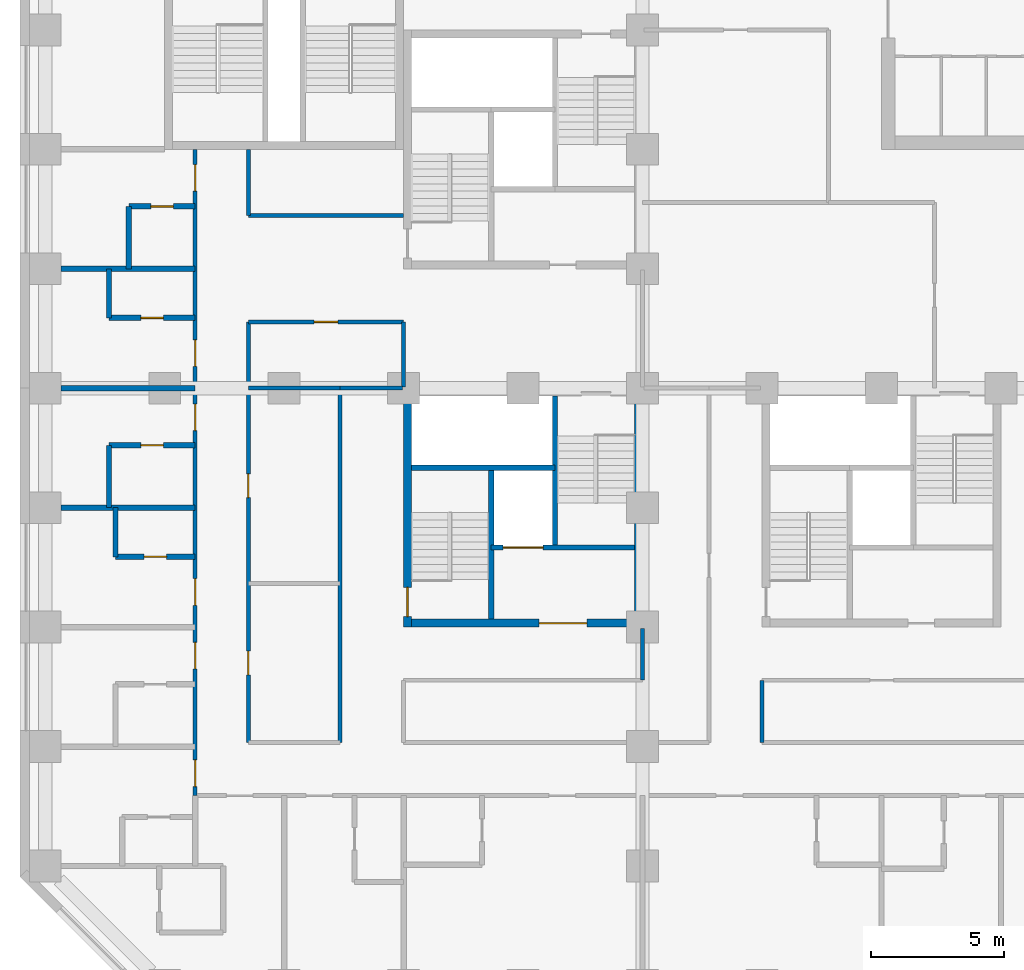
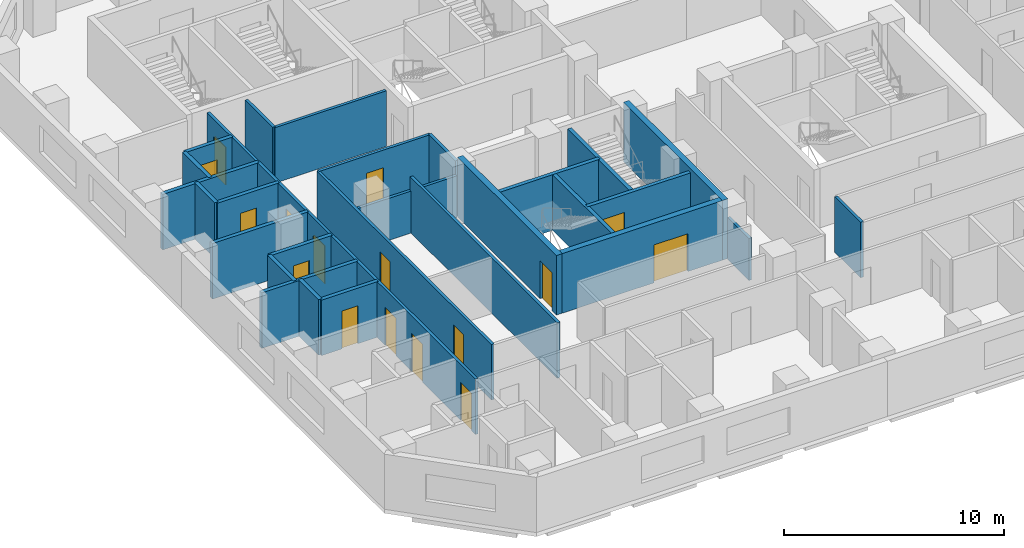
# One storey, part 3 of 12: 29 walls, 16 doors, 16 openings.
"""IFC4 building model written with IfcOpenShell, lengths in metres."""

from ifc_helpers import new_model, si_unit, direction, frame, frame_2d, origin, place, context, subcontext, project, spatial, rectangle, extrude, material, layer, layer_set, type_object, element, fill, save


model = new_model("IFC4")

# Units and contexts
model_context = context("Model", 3, precision=1e-05, world=origin(), true_north=direction((0.0, 1.0)))
body_context = subcontext(model_context, "Body", "Model", "MODEL_VIEW")
ifc_project = project(units=[si_unit("LENGTHUNIT", "METRE"), si_unit("AREAUNIT", "SQUARE_METRE"), si_unit("VOLUMEUNIT", "CUBIC_METRE"), si_unit("PLANEANGLEUNIT", "RADIAN"), si_unit("MASSUNIT", "GRAM", prefix="KILO")], contexts=[model_context])

# Site, building, storey
site_placement = place(None, origin())
site = spatial("IfcSite", under=ifc_project, at=site_placement, CompositionType="ELEMENT")
building_placement = place(site_placement, origin())
building = spatial("IfcBuilding", under=site, at=building_placement, Name="Quoin Convention Tower", CompositionType="ELEMENT")
storey_placement = place(building_placement, frame((0.0, 0.0, 33.0)))
storey = spatial("IfcBuildingStorey", under=building, at=storey_placement, Name="L07", CompositionType="ELEMENT", Elevation=33.0)

# Wall, opening, door
ifc_material_1 = material(Name="Concrete C50", Category="concrete")
ifc_layer_1 = layer(ifc_material_1, 0.199951171875)
ifc_layer_set_1 = layer_set([ifc_layer_1], Name="Concrete C50")
wall_type_1 = type_object("IfcWallType", Name="Core shaft wall", PredefinedType="SOLIDWALL", material=ifc_layer_set_1)
wall_1_placement = place(storey_placement, frame((30.300048828125, 34.5, 0.0), z_axis=(0.0, 0.0, 1.0), x_axis=(1.0, 0.0, 0.0)))
wall_1 = element("IfcWall", 1, at=wall_1_placement, inside=storey, type_object=wall_type_1, Name="cr-P4-L07-h3000_3300", PredefinedType="SOLIDWALL", context=body_context, shape_type="SweptSolid", body=[
    extrude(rectangle(XDim=5.39990234375, YDim=0.199951171875, at=frame_2d((2.699951171875, 0.0))), origin(), (0.0, 0.0, 1.0), 3.080078125),
])
opening_1_placement = place(wall_1_placement, frame((0.449951171875, 0.0, 0.0)))
opening_1 = element("IfcOpeningElement", 2, at=opening_1_placement, cuts=wall_1, Name="Opening LDGL1", PredefinedType="OPENING", context=body_context, shape_type="SweptSolid", body=[
    extrude(rectangle(XDim=1.5, YDim=2.10009765625, at=frame_2d((0.75, 1.050048828125))), frame((0.0, 0.10986328125, 0.0), z_axis=(0.0, -1.0, 0.0), x_axis=(1.0, 0.0, 0.0)), (0.0, 0.0, 1.0), 0.219970703125),
])
ifc_material_2 = material(Name="Steel door leaf", Category="steel")
door_type_1 = type_object("IfcDoorType", Name="Lift landing door 1500 x 2100", OperationType="DOUBLE_DOOR_SLIDING", PredefinedType="DOOR", material=ifc_material_2)
door_1_placement = place(opening_1_placement, origin())
door_1 = element("IfcDoor", 3, at=door_1_placement, inside=storey, type_object=door_type_1, Name="cd-P4-L07-CEN-R2-LDGL1", OperationType="DOUBLE_DOOR_SLIDING", OverallHeight=2.10009765625, OverallWidth=1.5, PredefinedType="DOOR", context=body_context, shape_type="SweptSolid", body=[
    extrude(rectangle(XDim=1.5, YDim=2.10009765625, at=frame_2d((0.75, 1.050048828125))), frame((0.0, 0.02490234375, 0.0), z_axis=(0.0, -1.0, 0.0), x_axis=(1.0, 0.0, 0.0)), (0.0, 0.0, 1.0), 0.050048828125),
])
fill(opening_1, door_1)

# Walls
wall_2_placement = place(storey_placement, frame((27.300048828125, 37.5, 0.0), z_axis=(0.0, 0.0, 1.0), x_axis=(1.0, 0.0, 0.0)))
element("IfcWall", 4, at=wall_2_placement, inside=storey, type_object=wall_type_1, Name="cr-P4-L07-h6000_300", PredefinedType="SOLIDWALL", context=body_context, shape_type="SweptSolid", body=[
    extrude(rectangle(XDim=5.39990234375, YDim=0.199951171875, at=frame_2d((2.699951171875, 0.0))), origin(), (0.0, 0.0, 1.0), 3.080078125),
])
for number, where, z_axis, x_axis, name in (
    (5, (30.300048828125, 31.800048828125, 0.0), (0.0, 0.0, 1.0), (0.0, 1.0, 0.0), "cr-P4-L07-v3300_300"),
    (6, (32.699951171875, 34.5, 0.0), (0.0, 0.0, 1.0), (0.0, 1.0, 0.0), "cr-P4-L07-v5700_3000"),
):
    element("IfcWall", number, at=place(storey_placement, frame(where, z_axis=z_axis, x_axis=x_axis)), inside=storey, type_object=wall_type_1, Name=name, PredefinedType="SOLIDWALL", context=body_context, shape_type="SweptSolid", body=[
        extrude(rectangle(XDim=5.699951171875, YDim=0.199951171875, at=frame_2d((2.85009765625, 0.0))), origin(), (0.0, 0.0, 1.0), 3.080078125),
    ])

# Wall, opening, door
ifc_material_3 = material(Name="Concrete C80", Category="concrete")
ifc_layer_2 = layer(ifc_material_3, 0.300048828125)
ifc_layer_set_2 = layer_set([ifc_layer_2], Name="Concrete C80")
wall_type_2 = type_object("IfcWallType", Name="RC CORE WALL 300 C80", PredefinedType="SHEAR", material=ifc_layer_set_2)
wall_3_placement = place(storey_placement, frame((27.300048828125, 31.64990234375, 0.0), z_axis=(0.0, 0.0, 1.0), x_axis=(1.0, 0.0, 0.0)))
wall_3 = element("IfcWall", 7, at=wall_3_placement, inside=storey, type_object=wall_type_2, Name="cwl-P4-L07-S", PredefinedType="SHEAR", context=body_context, shape_type="SweptSolid", body=[
    extrude(rectangle(XDim=8.39990234375, YDim=0.300048828125, at=frame_2d((4.199951171875, 0.0))), origin(), (0.0, 0.0, 1.0), 3.300048828125),
])
opening_2_placement = place(wall_3_placement, frame((4.800048828125, 0.0, 0.0)))
opening_2 = element("IfcOpeningElement", 8, at=opening_2_placement, cuts=wall_3, Name="Opening DCV3-43", PredefinedType="OPENING", context=body_context, shape_type="SweptSolid", body=[
    extrude(rectangle(XDim=1.800048828125, YDim=2.10009765625, at=frame_2d((0.89990234375, 1.050048828125))), frame((0.0, 0.159912109375, 0.0), z_axis=(0.0, -1.0, 0.0), x_axis=(1.0, 0.0, 0.0)), (0.0, 0.0, 1.0), 0.320068359375),
])
door_type_2 = type_object("IfcDoorType", Name="Goods lobby door 1800 x 2100", OperationType="SINGLE_SWING_LEFT", PredefinedType="DOOR", material=ifc_material_2)
door_2_placement = place(opening_2_placement, origin())
door_2 = element("IfcDoor", 9, at=door_2_placement, inside=storey, type_object=door_type_2, Name="cd-P4-L07-R2-S", OperationType="SINGLE_SWING_LEFT", OverallHeight=2.10009765625, OverallWidth=1.800048828125, PredefinedType="DOOR", context=body_context, shape_type="SweptSolid", body=[
    extrude(rectangle(XDim=1.800048828125, YDim=2.10009765625, at=frame_2d((0.89990234375, 1.050048828125))), frame((0.0, 0.02490234375, 0.0), z_axis=(0.0, -1.0, 0.0), x_axis=(1.0, 0.0, 0.0)), (0.0, 0.0, 1.0), 0.050048828125),
])
fill(opening_2, door_2)

wall_4_placement = place(storey_placement, frame((27.14990234375, 31.5, 0.0), z_axis=(0.0, 0.0, 1.0), x_axis=(0.0, 1.0, 0.0)))
wall_4 = element("IfcWall", 10, at=wall_4_placement, inside=storey, type_object=wall_type_2, Name="cwl-P4-L07-W", PredefinedType="SHEAR", context=body_context, shape_type="SweptSolid", body=[
    extrude(rectangle(XDim=9.0, YDim=0.300048828125, at=frame_2d((4.5, 0.0))), origin(), (0.0, 0.0, 1.0), 3.300048828125),
])
opening_3_placement = place(wall_4_placement, frame((0.39990234375, 0.0, 0.0)))
opening_3 = element("IfcOpeningElement", 11, at=opening_3_placement, cuts=wall_4, Name="Opening SD7", PredefinedType="OPENING", context=body_context, shape_type="SweptSolid", body=[
    extrude(rectangle(XDim=1.10009765625, YDim=2.10009765625, at=frame_2d((0.550048828125, 1.050048828125))), frame((0.0, 0.159912109375, 0.0), z_axis=(0.0, -1.0, 0.0), x_axis=(1.0, 0.0, 0.0)), (0.0, 0.0, 1.0), 0.320068359375),
])
door_type_3 = type_object("IfcDoorType", Name="Stair door 1100 x 2100", OperationType="SINGLE_SWING_RIGHT", PredefinedType="DOOR", material=ifc_material_2)
door_3_placement = place(opening_3_placement, frame((1.10009765625, 0.0, 0.0), z_axis=(0.0, 0.0, 1.0), x_axis=(-1.0, 0.0, 0.0)))
door_3 = element("IfcDoor", 12, at=door_3_placement, inside=storey, type_object=door_type_3, Name="cd-P4-L07-SA-W", OperationType="SINGLE_SWING_RIGHT", OverallHeight=2.10009765625, OverallWidth=1.10009765625, PredefinedType="DOOR", context=body_context, shape_type="SweptSolid", body=[
    extrude(rectangle(XDim=1.10009765625, YDim=2.10009765625, at=frame_2d((0.550048828125, 1.050048828125))), frame((0.0, 0.02490234375, 0.0), z_axis=(0.0, -1.0, 0.0), x_axis=(1.0, 0.0, 0.0)), (0.0, 0.0, 1.0), 0.050048828125),
])
fill(opening_3, door_3)

# Wall
wall_5_placement = place(storey_placement, frame((35.85009765625, 31.5, 0.0), z_axis=(0.0, 0.0, 1.0), x_axis=(0.0, 1.0, 0.0)))
element("IfcWall", 13, at=wall_5_placement, inside=storey, type_object=wall_type_2, Name="cwl-P4-L07-E", PredefinedType="SHEAR", context=body_context, shape_type="SweptSolid", body=[
    extrude(rectangle(XDim=9.0, YDim=0.300048828125, at=frame_2d((4.5, 0.0))), origin(), (0.0, 0.0, 1.0), 3.300048828125),
])

# Wall, opening, door
ifc_layer_3 = layer(ifc_material_1, 0.199951171875)
ifc_layer_set_3 = layer_set([ifc_layer_3], Name="Concrete C50")
wall_type_3 = type_object("IfcWallType", Name="RC party wall", PredefinedType="SOLIDWALL", material=ifc_layer_set_3)
wall_6_placement = place(storey_placement, frame((16.14990234375, 34.14990234375, 0.0), z_axis=(0.0, 0.0, 1.0), x_axis=(1.0, 0.0, 0.0)))
wall_6 = element("IfcWall", 14, at=wall_6_placement, inside=storey, type_object=wall_type_3, Name="pw-L07-069", PredefinedType="SOLIDWALL", context=body_context, shape_type="SweptSolid", body=[
    extrude(rectangle(XDim=3.0, YDim=0.199951171875, at=frame_2d((1.5, 0.0))), origin(), (0.0, 0.0, 1.0), 3.080078125),
])
opening_4_placement = place(wall_6_placement, frame((1.074951171875, 0.0, 0.0)))
opening_4 = element("IfcOpeningElement", 15, at=opening_4_placement, cuts=wall_6, Name="Opening DHOTEL-C-52", PredefinedType="OPENING", context=body_context, shape_type="SweptSolid", body=[
    extrude(rectangle(XDim=0.85009765625, YDim=2.10009765625, at=frame_2d((0.425048828125, 1.050048828125))), frame((0.0, 0.10986328125, 0.0), z_axis=(0.0, -1.0, 0.0), x_axis=(1.0, 0.0, 0.0)), (0.0, 0.0, 1.0), 0.219970703125),
])
door_type_4 = type_object("IfcDoorType", Name="Bathroom door", OperationType="SINGLE_SWING_LEFT", PredefinedType="DOOR", material=ifc_material_2)
door_4_placement = place(opening_4_placement, frame((0.85009765625, 0.0, 0.0), z_axis=(0.0, 0.0, 1.0), x_axis=(-1.0, 0.0, 0.0)))
door_4 = element("IfcDoor", 16, at=door_4_placement, inside=storey, type_object=door_type_4, Name="dr-L07-014", OperationType="SINGLE_SWING_LEFT", OverallHeight=2.10009765625, OverallWidth=0.85009765625, PredefinedType="DOOR", context=body_context, shape_type="SweptSolid", body=[
    extrude(rectangle(XDim=0.85009765625, YDim=2.10009765625, at=frame_2d((0.425048828125, 1.050048828125))), frame((0.0, 0.02490234375, 0.0), z_axis=(0.0, -1.0, 0.0), x_axis=(1.0, 0.0, 0.0)), (0.0, 0.0, 1.0), 0.050048828125),
])
fill(opening_4, door_4)

# Walls
wall_7_placement = place(storey_placement, frame((16.14990234375, 34.14990234375, 0.0), z_axis=(0.0, 0.0, 1.0), x_axis=(0.0, 1.0, 0.0)))
element("IfcWall", 17, at=wall_7_placement, inside=storey, type_object=wall_type_3, Name="pw-L07-070", PredefinedType="SOLIDWALL", context=body_context, shape_type="SweptSolid", body=[
    extrude(rectangle(XDim=1.85009765625, YDim=0.199951171875, at=frame_2d((0.925048828125, 0.0))), origin(), (0.0, 0.0, 1.0), 3.080078125),
])
wall_8_placement = place(storey_placement, frame((14.10009765625, 36.0, 0.0), z_axis=(0.0, 0.0, 1.0), x_axis=(1.0, 0.0, 0.0)))
element("IfcWall", 18, at=wall_8_placement, inside=storey, type_object=wall_type_3, Name="pw-L07-071", PredefinedType="SOLIDWALL", context=body_context, shape_type="SweptSolid", body=[
    extrude(rectangle(XDim=5.0498046875, YDim=0.199951171875, at=frame_2d((2.52490234375, 0.0))), origin(), (0.0, 0.0, 1.0), 3.080078125),
])
wall_9_placement = place(storey_placement, frame((15.89990234375, 36.0, 0.0), z_axis=(0.0, 0.0, 1.0), x_axis=(0.0, 1.0, 0.0)))
element("IfcWall", 19, at=wall_9_placement, inside=storey, type_object=wall_type_3, Name="pw-L07-072", PredefinedType="SOLIDWALL", context=body_context, shape_type="SweptSolid", body=[
    extrude(rectangle(XDim=2.35009765625, YDim=0.199951171875, at=frame_2d((1.175048828125, 0.0))), origin(), (0.0, 0.0, 1.0), 3.080078125),
])

# Wall, opening, door
wall_10_placement = place(storey_placement, frame((15.89990234375, 38.35009765625, 0.0), z_axis=(0.0, 0.0, 1.0), x_axis=(1.0, 0.0, 0.0)))
wall_10 = element("IfcWall", 20, at=wall_10_placement, inside=storey, type_object=wall_type_3, Name="pw-L07-076", PredefinedType="SOLIDWALL", context=body_context, shape_type="SweptSolid", body=[
    extrude(rectangle(XDim=3.25, YDim=0.199951171875, at=frame_2d((1.625, 0.0))), origin(), (0.0, 0.0, 1.0), 3.080078125),
])
opening_5_placement = place(wall_10_placement, frame((1.199951171875, 0.0, 0.0)))
opening_5 = element("IfcOpeningElement", 21, at=opening_5_placement, cuts=wall_10, Name="Opening DHOTEL-C-54", PredefinedType="OPENING", context=body_context, shape_type="SweptSolid", body=[
    extrude(rectangle(XDim=0.85009765625, YDim=2.10009765625, at=frame_2d((0.425048828125, 1.050048828125))), frame((0.0, 0.10986328125, 0.0), z_axis=(0.0, -1.0, 0.0), x_axis=(1.0, 0.0, 0.0)), (0.0, 0.0, 1.0), 0.219970703125),
])
door_5_placement = place(opening_5_placement, origin())
door_5 = element("IfcDoor", 22, at=door_5_placement, inside=storey, type_object=door_type_4, Name="dr-L07-016", OperationType="SINGLE_SWING_RIGHT", OverallHeight=2.10009765625, OverallWidth=0.85009765625, PredefinedType="DOOR", context=body_context, shape_type="SweptSolid", body=[
    extrude(rectangle(XDim=0.85009765625, YDim=2.10009765625, at=frame_2d((0.425048828125, 1.050048828125))), frame((0.0, 0.02490234375, 0.0), z_axis=(0.0, -1.0, 0.0), x_axis=(1.0, 0.0, 0.0)), (0.0, 0.0, 1.0), 0.050048828125),
])
fill(opening_5, door_5)

# Wall
wall_11_placement = place(storey_placement, frame((14.10009765625, 40.5, 0.0), z_axis=(0.0, 0.0, 1.0), x_axis=(1.0, 0.0, 0.0)))
element("IfcWall", 23, at=wall_11_placement, inside=storey, type_object=wall_type_3, Name="pw-L07-077", PredefinedType="SOLIDWALL", context=body_context, shape_type="SweptSolid", body=[
    extrude(rectangle(XDim=5.0498046875, YDim=0.199951171875, at=frame_2d((2.52490234375, 0.0))), origin(), (0.0, 0.0, 1.0), 3.080078125),
])

# Wall, opening, door
wall_12_placement = place(storey_placement, frame((15.89990234375, 43.14990234375, 0.0), z_axis=(0.0, 0.0, 1.0), x_axis=(1.0, 0.0, 0.0)))
wall_12 = element("IfcWall", 24, at=wall_12_placement, inside=storey, type_object=wall_type_3, Name="pw-L07-082", PredefinedType="SOLIDWALL", context=body_context, shape_type="SweptSolid", body=[
    extrude(rectangle(XDim=3.25, YDim=0.199951171875, at=frame_2d((1.625, 0.0))), origin(), (0.0, 0.0, 1.0), 3.080078125),
])
opening_6_placement = place(wall_12_placement, frame((1.199951171875, 0.0, 0.0)))
opening_6 = element("IfcOpeningElement", 25, at=opening_6_placement, cuts=wall_12, Name="Opening DHOTEL-C-56", PredefinedType="OPENING", context=body_context, shape_type="SweptSolid", body=[
    extrude(rectangle(XDim=0.85009765625, YDim=2.10009765625, at=frame_2d((0.425048828125, 1.050048828125))), frame((0.0, 0.10986328125, 0.0), z_axis=(0.0, -1.0, 0.0), x_axis=(1.0, 0.0, 0.0)), (0.0, 0.0, 1.0), 0.219970703125),
])
door_6_placement = place(opening_6_placement, frame((0.85009765625, 0.0, 0.0), z_axis=(0.0, 0.0, 1.0), x_axis=(-1.0, 0.0, 0.0)))
door_6 = element("IfcDoor", 26, at=door_6_placement, inside=storey, type_object=door_type_4, Name="dr-L07-018", OperationType="SINGLE_SWING_LEFT", OverallHeight=2.10009765625, OverallWidth=0.85009765625, PredefinedType="DOOR", context=body_context, shape_type="SweptSolid", body=[
    extrude(rectangle(XDim=0.85009765625, YDim=2.10009765625, at=frame_2d((0.425048828125, 1.050048828125))), frame((0.0, 0.02490234375, 0.0), z_axis=(0.0, -1.0, 0.0), x_axis=(1.0, 0.0, 0.0)), (0.0, 0.0, 1.0), 0.050048828125),
])
fill(opening_6, door_6)

# Walls
wall_13_placement = place(storey_placement, frame((15.89990234375, 43.14990234375, 0.0), z_axis=(0.0, 0.0, 1.0), x_axis=(0.0, 1.0, 0.0)))
element("IfcWall", 27, at=wall_13_placement, inside=storey, type_object=wall_type_3, Name="pw-L07-083", PredefinedType="SOLIDWALL", context=body_context, shape_type="SweptSolid", body=[
    extrude(rectangle(XDim=1.85009765625, YDim=0.199951171875, at=frame_2d((0.925048828125, 0.0))), origin(), (0.0, 0.0, 1.0), 3.080078125),
])
wall_14_placement = place(storey_placement, frame((14.10009765625, 45.0, 0.0), z_axis=(0.0, 0.0, 1.0), x_axis=(1.0, 0.0, 0.0)))
element("IfcWall", 28, at=wall_14_placement, inside=storey, type_object=wall_type_3, Name="pw-L07-086", PredefinedType="SOLIDWALL", context=body_context, shape_type="SweptSolid", body=[
    extrude(rectangle(XDim=5.0498046875, YDim=0.199951171875, at=frame_2d((2.52490234375, 0.0))), origin(), (0.0, 0.0, 1.0), 3.080078125),
])
wall_15_placement = place(storey_placement, frame((16.64990234375, 45.0, 0.0), z_axis=(0.0, 0.0, 1.0), x_axis=(0.0, 1.0, 0.0)))
element("IfcWall", 29, at=wall_15_placement, inside=storey, type_object=wall_type_3, Name="pw-L07-087", PredefinedType="SOLIDWALL", context=body_context, shape_type="SweptSolid", body=[
    extrude(rectangle(XDim=2.35009765625, YDim=0.199951171875, at=frame_2d((1.175048828125, 0.0))), origin(), (0.0, 0.0, 1.0), 3.080078125),
])

# Wall, opening, door
wall_16_placement = place(storey_placement, frame((16.64990234375, 47.35009765625, 0.0), z_axis=(0.0, 0.0, 1.0), x_axis=(1.0, 0.0, 0.0)))
wall_16 = element("IfcWall", 30, at=wall_16_placement, inside=storey, type_object=wall_type_3, Name="pw-L07-091", PredefinedType="SOLIDWALL", context=body_context, shape_type="SweptSolid", body=[
    extrude(rectangle(XDim=2.5, YDim=0.199951171875, at=frame_2d((1.25, 0.0))), origin(), (0.0, 0.0, 1.0), 3.080078125),
])
opening_7_placement = place(wall_16_placement, frame((0.824951171875, 0.0, 0.0)))
opening_7 = element("IfcOpeningElement", 31, at=opening_7_placement, cuts=wall_16, Name="Opening DHOTEL-C-58", PredefinedType="OPENING", context=body_context, shape_type="SweptSolid", body=[
    extrude(rectangle(XDim=0.85009765625, YDim=2.10009765625, at=frame_2d((0.425048828125, 1.050048828125))), frame((0.0, 0.10986328125, 0.0), z_axis=(0.0, -1.0, 0.0), x_axis=(1.0, 0.0, 0.0)), (0.0, 0.0, 1.0), 0.219970703125),
])
door_7_placement = place(opening_7_placement, frame((0.85009765625, 0.0, 0.0), z_axis=(0.0, 0.0, 1.0), x_axis=(-1.0, 0.0, 0.0)))
door_7 = element("IfcDoor", 32, at=door_7_placement, inside=storey, type_object=door_type_4, Name="dr-L07-020", OperationType="SINGLE_SWING_LEFT", OverallHeight=2.10009765625, OverallWidth=0.85009765625, PredefinedType="DOOR", context=body_context, shape_type="SweptSolid", body=[
    extrude(rectangle(XDim=0.85009765625, YDim=2.10009765625, at=frame_2d((0.425048828125, 1.050048828125))), frame((0.0, 0.02490234375, 0.0), z_axis=(0.0, -1.0, 0.0), x_axis=(1.0, 0.0, 0.0)), (0.0, 0.0, 1.0), 0.050048828125),
])
fill(opening_7, door_7)

# Wall, openings, doors
ifc_material_4 = material(Name="Plasterboard")
ifc_layer_4 = layer(ifc_material_4, 0.012451171875, Name="Finish")
ifc_material_5 = material(Name="Steel stud framing", Category="steel")
ifc_layer_5 = layer(ifc_material_5, 0.125, Name="Structure")
ifc_layer_6 = layer(ifc_material_4, 0.012451171875, Name="Finish")
ifc_layer_set_4 = layer_set([ifc_layer_4, ifc_layer_5, ifc_layer_6], Name="Steel stud framing")
wall_type_4 = type_object("IfcWallType", Name="corridor partition", PredefinedType="PARTITIONING", material=ifc_layer_set_4)
wall_17_placement = place(storey_placement, frame((19.14990234375, 25.14990234375, 0.0), z_axis=(0.0, 0.0, 1.0), x_axis=(0.0, 1.0, 0.0)))
wall_17 = element("IfcWall", 33, at=wall_17_placement, inside=storey, type_object=wall_type_4, Name="pw-L07-004", PredefinedType="PARTITIONING", context=body_context, shape_type="SweptSolid", body=[
    extrude(rectangle(XDim=24.35009765625, YDim=0.14990234375, at=frame_2d((12.175048828125, 0.0))), origin(), (0.0, 0.0, 1.0), 3.080078125),
])
opening_8_placement = place(wall_17_placement, frame((0.346923828125, 0.0, 0.0)))
opening_8 = element("IfcOpeningElement", 34, at=opening_8_placement, cuts=wall_17, Name="Opening DHOTEL-C-07", PredefinedType="OPENING", context=body_context, shape_type="SweptSolid", body=[
    extrude(rectangle(XDim=1.0, YDim=2.10009765625, at=frame_2d((0.5, 1.050048828125))), frame((0.0, 0.0849609375, 0.0), z_axis=(0.0, -1.0, 0.0), x_axis=(1.0, 0.0, 0.0)), (0.0, 0.0, 1.0), 0.169921875),
])
opening_9_placement = place(wall_17_placement, frame((4.77490234375, 0.0, 0.0)))
opening_9 = element("IfcOpeningElement", 35, at=opening_9_placement, cuts=wall_17, Name="Opening DHOTEL-C-08", PredefinedType="OPENING", context=body_context, shape_type="SweptSolid", body=[
    extrude(rectangle(XDim=1.0, YDim=2.10009765625, at=frame_2d((0.5, 1.050048828125))), frame((0.0, 0.0849609375, 0.0), z_axis=(0.0, -1.0, 0.0), x_axis=(1.0, 0.0, 0.0)), (0.0, 0.0, 1.0), 0.169921875),
])
opening_10_placement = place(wall_17_placement, frame((7.175048828125, 0.0, 0.0)))
opening_10 = element("IfcOpeningElement", 36, at=opening_10_placement, cuts=wall_17, Name="Opening DHOTEL-C-09", PredefinedType="OPENING", context=body_context, shape_type="SweptSolid", body=[
    extrude(rectangle(XDim=1.0, YDim=2.10009765625, at=frame_2d((0.5, 1.050048828125))), frame((0.0, 0.0849609375, 0.0), z_axis=(0.0, -1.0, 0.0), x_axis=(1.0, 0.0, 0.0)), (0.0, 0.0, 1.0), 0.169921875),
])
opening_11_placement = place(wall_17_placement, frame((13.75, 0.0, 0.0)))
opening_11 = element("IfcOpeningElement", 37, at=opening_11_placement, cuts=wall_17, Name="Opening DHOTEL-C-10", PredefinedType="OPENING", context=body_context, shape_type="SweptSolid", body=[
    extrude(rectangle(XDim=1.0, YDim=2.10009765625, at=frame_2d((0.5, 1.050048828125))), frame((0.0, 0.0849609375, 0.0), z_axis=(0.0, -1.0, 0.0), x_axis=(1.0, 0.0, 0.0)), (0.0, 0.0, 1.0), 0.169921875),
])
opening_12_placement = place(wall_17_placement, frame((16.175048828125, 0.0, 0.0)))
opening_12 = element("IfcOpeningElement", 38, at=opening_12_placement, cuts=wall_17, Name="Opening DHOTEL-C-11", PredefinedType="OPENING", context=body_context, shape_type="SweptSolid", body=[
    extrude(rectangle(XDim=1.0, YDim=2.10009765625, at=frame_2d((0.5, 1.050048828125))), frame((0.0, 0.0849609375, 0.0), z_axis=(0.0, -1.0, 0.0), x_axis=(1.0, 0.0, 0.0)), (0.0, 0.0, 1.0), 0.169921875),
])
opening_13_placement = place(wall_17_placement, frame((22.77490234375, 0.0, 0.0)))
opening_13 = element("IfcOpeningElement", 39, at=opening_13_placement, cuts=wall_17, Name="Opening DHOTEL-C-12", PredefinedType="OPENING", context=body_context, shape_type="SweptSolid", body=[
    extrude(rectangle(XDim=1.0, YDim=2.10009765625, at=frame_2d((0.5, 1.050048828125))), frame((0.0, 0.0849609375, 0.0), z_axis=(0.0, -1.0, 0.0), x_axis=(1.0, 0.0, 0.0)), (0.0, 0.0, 1.0), 0.169921875),
])
door_type_5 = type_object("IfcDoorType", Name="Hotel room door", OperationType="SINGLE_SWING_LEFT", PredefinedType="DOOR", material=ifc_material_2)
door_8_placement = place(opening_8_placement, origin())
door_8 = element("IfcDoor", 40, at=door_8_placement, inside=storey, type_object=door_type_5, Name="dr-L07-009", OperationType="SINGLE_SWING_LEFT", OverallHeight=2.10009765625, OverallWidth=1.0, PredefinedType="DOOR", context=body_context, shape_type="SweptSolid", body=[
    extrude(rectangle(XDim=1.0, YDim=2.10009765625, at=frame_2d((0.5, 1.050048828125))), frame((0.0, 0.02490234375, 0.0), z_axis=(0.0, -1.0, 0.0), x_axis=(1.0, 0.0, 0.0)), (0.0, 0.0, 1.0), 0.050048828125),
])
fill(opening_8, door_8)
door_9_placement = place(opening_9_placement, origin())
door_9 = element("IfcDoor", 41, at=door_9_placement, inside=storey, type_object=door_type_5, Name="dr-L07-011", OperationType="SINGLE_SWING_RIGHT", OverallHeight=2.10009765625, OverallWidth=1.0, PredefinedType="DOOR", context=body_context, shape_type="SweptSolid", body=[
    extrude(rectangle(XDim=1.0, YDim=2.10009765625, at=frame_2d((0.5, 1.050048828125))), frame((0.0, 0.02490234375, 0.0), z_axis=(0.0, -1.0, 0.0), x_axis=(1.0, 0.0, 0.0)), (0.0, 0.0, 1.0), 0.050048828125),
])
fill(opening_9, door_9)
door_10_placement = place(opening_10_placement, origin())
door_10 = element("IfcDoor", 42, at=door_10_placement, inside=storey, type_object=door_type_5, Name="dr-L07-013", OperationType="SINGLE_SWING_RIGHT", OverallHeight=2.10009765625, OverallWidth=1.0, PredefinedType="DOOR", context=body_context, shape_type="SweptSolid", body=[
    extrude(rectangle(XDim=1.0, YDim=2.10009765625, at=frame_2d((0.5, 1.050048828125))), frame((0.0, 0.02490234375, 0.0), z_axis=(0.0, -1.0, 0.0), x_axis=(1.0, 0.0, 0.0)), (0.0, 0.0, 1.0), 0.050048828125),
])
fill(opening_10, door_10)
door_11_placement = place(opening_11_placement, origin())
door_11 = element("IfcDoor", 43, at=door_11_placement, inside=storey, type_object=door_type_5, Name="dr-L07-015", OperationType="SINGLE_SWING_LEFT", OverallHeight=2.10009765625, OverallWidth=1.0, PredefinedType="DOOR", context=body_context, shape_type="SweptSolid", body=[
    extrude(rectangle(XDim=1.0, YDim=2.10009765625, at=frame_2d((0.5, 1.050048828125))), frame((0.0, 0.02490234375, 0.0), z_axis=(0.0, -1.0, 0.0), x_axis=(1.0, 0.0, 0.0)), (0.0, 0.0, 1.0), 0.050048828125),
])
fill(opening_11, door_11)
door_12_placement = place(opening_12_placement, origin())
door_12 = element("IfcDoor", 44, at=door_12_placement, inside=storey, type_object=door_type_5, Name="dr-L07-017", OperationType="SINGLE_SWING_RIGHT", OverallHeight=2.10009765625, OverallWidth=1.0, PredefinedType="DOOR", context=body_context, shape_type="SweptSolid", body=[
    extrude(rectangle(XDim=1.0, YDim=2.10009765625, at=frame_2d((0.5, 1.050048828125))), frame((0.0, 0.02490234375, 0.0), z_axis=(0.0, -1.0, 0.0), x_axis=(1.0, 0.0, 0.0)), (0.0, 0.0, 1.0), 0.050048828125),
])
fill(opening_12, door_12)
door_13_placement = place(opening_13_placement, origin())
door_13 = element("IfcDoor", 45, at=door_13_placement, inside=storey, type_object=door_type_5, Name="dr-L07-019", OperationType="SINGLE_SWING_LEFT", OverallHeight=2.10009765625, OverallWidth=1.0, PredefinedType="DOOR", context=body_context, shape_type="SweptSolid", body=[
    extrude(rectangle(XDim=1.0, YDim=2.10009765625, at=frame_2d((0.5, 1.050048828125))), frame((0.0, 0.02490234375, 0.0), z_axis=(0.0, -1.0, 0.0), x_axis=(1.0, 0.0, 0.0)), (0.0, 0.0, 1.0), 0.050048828125),
])
fill(opening_13, door_13)

wall_18_placement = place(storey_placement, frame((21.14990234375, 27.14990234375, 0.0), z_axis=(0.0, 0.0, 1.0), x_axis=(0.0, 1.0, 0.0)))
wall_18 = element("IfcWall", 46, at=wall_18_placement, inside=storey, type_object=wall_type_4, Name="pw-L07-007", PredefinedType="PARTITIONING", context=body_context, shape_type="SweptSolid", body=[
    extrude(rectangle(XDim=15.85009765625, YDim=0.14990234375, at=frame_2d((7.925048828125, 0.0))), origin(), (0.0, 0.0, 1.0), 3.080078125),
])
opening_14_placement = place(wall_18_placement, frame((2.550048828125, 0.0, 0.0)))
opening_14 = element("IfcOpeningElement", 47, at=opening_14_placement, cuts=wall_18, Name="Opening DHOTEL-C-17", PredefinedType="OPENING", context=body_context, shape_type="SweptSolid", body=[
    extrude(rectangle(XDim=0.89990234375, YDim=2.10009765625, at=frame_2d((0.449951171875, 1.050048828125))), frame((0.0, 0.0849609375, 0.0), z_axis=(0.0, -1.0, 0.0), x_axis=(1.0, 0.0, 0.0)), (0.0, 0.0, 1.0), 0.169921875),
])
opening_15_placement = place(wall_18_placement, frame((9.22509765625, 0.0, 0.0)))
opening_15 = element("IfcOpeningElement", 48, at=opening_15_placement, cuts=wall_18, Name="Opening DHOTEL-C-18", PredefinedType="OPENING", context=body_context, shape_type="SweptSolid", body=[
    extrude(rectangle(XDim=0.89990234375, YDim=2.10009765625, at=frame_2d((0.449951171875, 1.050048828125))), frame((0.0, 0.0849609375, 0.0), z_axis=(0.0, -1.0, 0.0), x_axis=(1.0, 0.0, 0.0)), (0.0, 0.0, 1.0), 0.169921875),
])
door_type_6 = type_object("IfcDoorType", Name="Service room door", OperationType="SINGLE_SWING_LEFT", PredefinedType="DOOR", material=ifc_material_2)
door_14_placement = place(opening_14_placement, frame((0.89990234375, 0.0, 0.0), z_axis=(0.0, 0.0, 1.0), x_axis=(-1.0, 0.0, 0.0)))
door_14 = element("IfcDoor", 49, at=door_14_placement, inside=storey, type_object=door_type_6, Name="dr-L07-071", OperationType="SINGLE_SWING_LEFT", OverallHeight=2.10009765625, OverallWidth=0.89990234375, PredefinedType="DOOR", context=body_context, shape_type="SweptSolid", body=[
    extrude(rectangle(XDim=0.89990234375, YDim=2.10009765625, at=frame_2d((0.449951171875, 1.050048828125))), frame((0.0, 0.02490234375, 0.0), z_axis=(0.0, -1.0, 0.0), x_axis=(1.0, 0.0, 0.0)), (0.0, 0.0, 1.0), 0.050048828125),
])
fill(opening_14, door_14)
door_15_placement = place(opening_15_placement, frame((0.89990234375, 0.0, 0.0), z_axis=(0.0, 0.0, 1.0), x_axis=(-1.0, 0.0, 0.0)))
door_15 = element("IfcDoor", 50, at=door_15_placement, inside=storey, type_object=door_type_6, Name="dr-L07-072", OperationType="SINGLE_SWING_LEFT", OverallHeight=2.10009765625, OverallWidth=0.89990234375, PredefinedType="DOOR", context=body_context, shape_type="SweptSolid", body=[
    extrude(rectangle(XDim=0.89990234375, YDim=2.10009765625, at=frame_2d((0.449951171875, 1.050048828125))), frame((0.0, 0.02490234375, 0.0), z_axis=(0.0, -1.0, 0.0), x_axis=(1.0, 0.0, 0.0)), (0.0, 0.0, 1.0), 0.050048828125),
])
fill(opening_15, door_15)

# Walls
wall_19_placement = place(storey_placement, frame((24.60009765625, 27.14990234375, 0.0), z_axis=(0.0, 0.0, 1.0), x_axis=(0.0, 1.0, 0.0)))
element("IfcWall", 51, at=wall_19_placement, inside=storey, type_object=wall_type_4, Name="pw-L07-008", PredefinedType="PARTITIONING", context=body_context, shape_type="SweptSolid", body=[
    extrude(rectangle(XDim=13.35009765625, YDim=0.14990234375, at=frame_2d((6.675048828125, 0.0))), origin(), (0.0, 0.0, 1.0), 3.080078125),
])
wall_20_placement = place(storey_placement, frame((40.5, 27.14990234375, 0.0), z_axis=(0.0, 0.0, 1.0), x_axis=(0.0, 1.0, 0.0)))
element("IfcWall", 52, at=wall_20_placement, inside=storey, type_object=wall_type_4, Name="pw-L07-013", PredefinedType="PARTITIONING", context=body_context, shape_type="SweptSolid", body=[
    extrude(rectangle(XDim=2.35009765625, YDim=0.14990234375, at=frame_2d((1.175048828125, 0.0))), origin(), (0.0, 0.0, 1.0), 3.080078125),
])
wall_21_placement = place(storey_placement, frame((27.0, 40.550048828125, 0.0), z_axis=(0.0, 0.0, 1.0), x_axis=(0.0, 1.0, 0.0)))
element("IfcWall", 53, at=wall_21_placement, inside=storey, type_object=wall_type_4, Name="pw-L07-020", PredefinedType="PARTITIONING", context=body_context, shape_type="SweptSolid", body=[
    extrude(rectangle(XDim=2.449951171875, YDim=0.14990234375, at=frame_2d((1.22509765625, 0.0))), origin(), (0.0, 0.0, 1.0), 3.080078125),
])

# Wall, opening, door
wall_22_placement = place(storey_placement, frame((21.14990234375, 43.0, 0.0), z_axis=(0.0, 0.0, 1.0), x_axis=(1.0, 0.0, 0.0)))
wall_22 = element("IfcWall", 54, at=wall_22_placement, inside=storey, type_object=wall_type_4, Name="pw-L07-023", PredefinedType="PARTITIONING", context=body_context, shape_type="SweptSolid", body=[
    extrude(rectangle(XDim=5.85009765625, YDim=0.14990234375, at=frame_2d((2.925048828125, 0.0))), origin(), (0.0, 0.0, 1.0), 3.080078125),
])
opening_16_placement = place(wall_22_placement, frame((2.47509765625, 0.0, 0.0)))
opening_16 = element("IfcOpeningElement", 55, at=opening_16_placement, cuts=wall_22, Name="Opening DHOTEL-C-22", PredefinedType="OPENING", context=body_context, shape_type="SweptSolid", body=[
    extrude(rectangle(XDim=0.89990234375, YDim=2.10009765625, at=frame_2d((0.449951171875, 1.050048828125))), frame((0.0, 0.0849609375, 0.0), z_axis=(0.0, -1.0, 0.0), x_axis=(1.0, 0.0, 0.0)), (0.0, 0.0, 1.0), 0.169921875),
])
door_type_7 = type_object("IfcDoorType", Name="Toilet door", OperationType="SINGLE_SWING_LEFT", PredefinedType="DOOR", material=ifc_material_2)
door_16_placement = place(opening_16_placement, frame((0.89990234375, 0.0, 0.0), z_axis=(0.0, 0.0, 1.0), x_axis=(-1.0, 0.0, 0.0)))
door_16 = element("IfcDoor", 56, at=door_16_placement, inside=storey, type_object=door_type_7, Name="dr-L07-075", OperationType="SINGLE_SWING_LEFT", OverallHeight=2.10009765625, OverallWidth=0.89990234375, PredefinedType="DOOR", context=body_context, shape_type="SweptSolid", body=[
    extrude(rectangle(XDim=0.89990234375, YDim=2.10009765625, at=frame_2d((0.449951171875, 1.050048828125))), frame((0.0, 0.02490234375, 0.0), z_axis=(0.0, -1.0, 0.0), x_axis=(1.0, 0.0, 0.0)), (0.0, 0.0, 1.0), 0.050048828125),
])
fill(opening_16, door_16)

# Walls
wall_23_placement = place(storey_placement, frame((21.14990234375, 47.0, 0.0), z_axis=(0.0, 0.0, 1.0), x_axis=(1.0, 0.0, 0.0)))
element("IfcWall", 57, at=wall_23_placement, inside=storey, type_object=wall_type_4, Name="pw-L07-024", PredefinedType="PARTITIONING", context=body_context, shape_type="SweptSolid", body=[
    extrude(rectangle(XDim=5.85009765625, YDim=0.14990234375, at=frame_2d((2.925048828125, 0.0))), origin(), (0.0, 0.0, 1.0), 3.080078125),
])
wall_24_placement = place(storey_placement, frame((21.14990234375, 47.0, 0.0), z_axis=(0.0, 0.0, 1.0), x_axis=(0.0, 1.0, 0.0)))
element("IfcWall", 58, at=wall_24_placement, inside=storey, type_object=wall_type_4, Name="pw-L07-025", PredefinedType="PARTITIONING", context=body_context, shape_type="SweptSolid", body=[
    extrude(rectangle(XDim=2.5, YDim=0.14990234375, at=frame_2d((1.25, 0.0))), origin(), (0.0, 0.0, 1.0), 3.080078125),
])
ifc_layer_7 = layer(ifc_material_4, 0.012451171875, Name="Finish")
ifc_layer_8 = layer(ifc_material_5, 0.125, Name="Structure")
ifc_layer_9 = layer(ifc_material_4, 0.012451171875, Name="Finish")
ifc_layer_set_5 = layer_set([ifc_layer_7, ifc_layer_8, ifc_layer_9], Name="Steel stud framing")
wall_type_5 = type_object("IfcWallType", Name="corridor partition under beam 750", PredefinedType="PARTITIONING", material=ifc_layer_set_5)
wall_25_placement = place(storey_placement, frame((36.0, 29.5, 0.0), z_axis=(0.0, 0.0, 1.0), x_axis=(0.0, 1.0, 0.0)))
element("IfcWall", 59, at=wall_25_placement, inside=storey, type_object=wall_type_5, Name="pw-L07-016", PredefinedType="PARTITIONING", context=body_context, shape_type="SweptSolid", body=[
    extrude(rectangle(XDim=1.949951171875, YDim=0.14990234375, at=frame_2d((0.97509765625, 0.0))), origin(), (0.0, 0.0, 1.0), 2.330078125),
])
wall_26_placement = place(storey_placement, frame((24.60009765625, 40.5, 0.0), z_axis=(0.0, 0.0, 1.0), x_axis=(1.0, 0.0, 0.0)))
element("IfcWall", 60, at=wall_26_placement, inside=storey, type_object=wall_type_5, Name="pw-L07-018", PredefinedType="PARTITIONING", context=body_context, shape_type="SweptSolid", body=[
    extrude(rectangle(XDim=2.349853515625, YDim=0.14990234375, at=frame_2d((1.1748046875, 0.0))), origin(), (0.0, 0.0, 1.0), 2.330078125),
])
ifc_layer_10 = layer(ifc_material_4, 0.012451171875, Name="Finish")
ifc_layer_11 = layer(ifc_material_5, 0.125, Name="Structure")
ifc_layer_12 = layer(ifc_material_4, 0.012451171875, Name="Finish")
ifc_layer_set_6 = layer_set([ifc_layer_10, ifc_layer_11, ifc_layer_12], Name="Steel stud framing")
wall_type_6 = type_object("IfcWallType", Name="room partition under beam 750", PredefinedType="PARTITIONING", material=ifc_layer_set_6)
wall_27_placement = place(storey_placement, frame((21.14990234375, 40.5, 0.0), z_axis=(0.0, 0.0, 1.0), x_axis=(1.0, 0.0, 0.0)))
element("IfcWall", 61, at=wall_27_placement, inside=storey, type_object=wall_type_6, Name="pw-L07-155", PredefinedType="PARTITIONING", context=body_context, shape_type="SweptSolid", body=[
    extrude(rectangle(XDim=3.4501953125, YDim=0.14990234375, at=frame_2d((1.72509765625, 0.0))), origin(), (0.0, 0.0, 1.0), 2.330078125),
])

save(model, "model.ifc")
